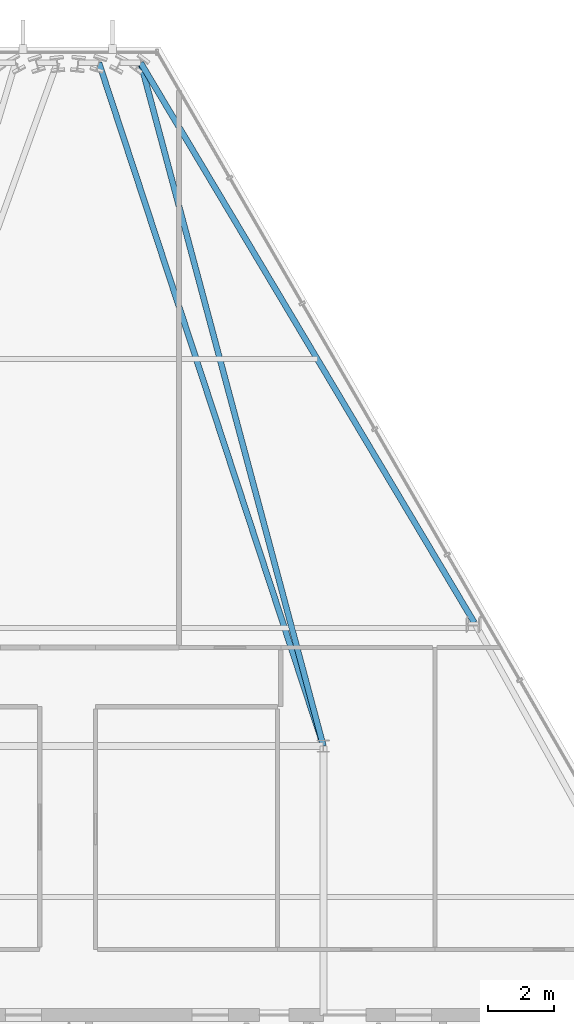
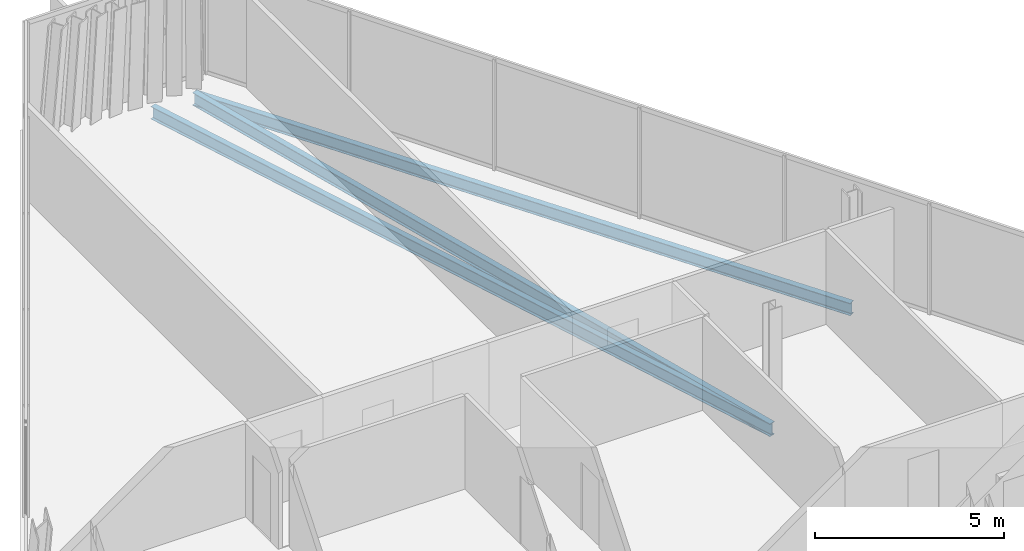
# One storey, part 19 of 34: 3 beams.
"""IFC4 building model written with IfcOpenShell, lengths in metres."""

from ifc_helpers import new_model, si_unit, direction, frame, origin, origin_2d, place, context, subcontext, project, spatial, i_section, extrude, material, material_profile, profile_set, type_object, element, save


model = new_model("IFC4")

# Units and contexts
model_context = context("Model", 3, precision=1e-05, world=origin(), true_north=direction((0.0, 1.0)))
body_context = subcontext(model_context, "Body", "Model", "MODEL_VIEW")
ifc_project = project(units=[si_unit("LENGTHUNIT", "METRE"), si_unit("AREAUNIT", "SQUARE_METRE"), si_unit("VOLUMEUNIT", "CUBIC_METRE"), si_unit("PLANEANGLEUNIT", "RADIAN"), si_unit("MASSUNIT", "GRAM", prefix="KILO")], contexts=[model_context])

# Site, building, storey
site_placement = place(None, origin())
site = spatial("IfcSite", under=ifc_project, at=site_placement, CompositionType="ELEMENT")
building_placement = place(site_placement, origin())
building = spatial("IfcBuilding", under=site, at=building_placement, Name="Ndaravel Arena Tower", CompositionType="ELEMENT")
storey_placement = place(building_placement, frame((0.0, 0.0, 267.39990234375)))
storey = spatial("IfcBuildingStorey", under=building, at=storey_placement, Name="L65", CompositionType="ELEMENT", Elevation=267.39990234375)

# Beams
ifc_material_1 = material(Name="Steel S355", Category="steel")
ifc_material_profile_1 = material_profile(ifc_material_1, i_section(OverallWidth=0.1787109375, OverallDepth=0.409423828125, WebThickness=0.0087890625, FlangeThickness=0.014404296875, FilletRadius=0.01025390625, at=origin_2d()), Name="UB 406x178x67")
ifc_profile_set_1 = profile_set([ifc_material_profile_1], Name="Steel S355")
beam_type_1 = type_object("IfcBeamType", Name="BM-GIRD-UB406", PredefinedType="BEAM", material=ifc_profile_set_1)
beam_1_placement = place(storey_placement, frame((44.227294921875, 44.038330078125, -0.424560546875), z_axis=(0.258348720758, -0.966051726608, 0.0), x_axis=(0.966051726608, 0.258348720758, 0.0)))
element("IfcBeam", 1, at=beam_1_placement, inside=storey, type_object=beam_type_1, Name="L65 Radial Floor Girder FG-11", PredefinedType="BEAM", context=body_context, shape_type="SweptSolid", body=[
    extrude(i_section(OverallWidth=0.1787109375, OverallDepth=0.409423828125, WebThickness=0.0087890625, FlangeThickness=0.014404296875, FilletRadius=0.01025390625, at=origin_2d()), origin(), (0.0, 0.0, 1.0), 21.570556640625),
])
beam_2_placement = place(storey_placement, frame((42.95458984375, 44.038330078125, -0.424560546875), z_axis=(0.312094159638, -0.950051175211, 0.0), x_axis=(0.950051175211, 0.312094159638, 0.0)))
element("IfcBeam", 2, at=beam_2_placement, inside=storey, type_object=beam_type_1, Name="L65 Radial Floor Girder FG-13", PredefinedType="BEAM", context=body_context, shape_type="SweptSolid", body=[
    extrude(i_section(OverallWidth=0.1787109375, OverallDepth=0.409423828125, WebThickness=0.0087890625, FlangeThickness=0.014404296875, FilletRadius=0.01025390625, at=origin_2d()), origin(), (0.0, 0.0, 1.0), 21.933837890625),
])
ifc_material_2 = material(Name="Steel S355", Category="steel")
ifc_material_profile_2 = material_profile(ifc_material_2, i_section(OverallWidth=0.179931640625, OverallDepth=0.39990234375, WebThickness=0.008544921875, FlangeThickness=0.013427734375, FilletRadius=0.02099609375, at=origin_2d()), Name="IPE 400")
ifc_profile_set_2 = profile_set([ifc_material_profile_2], Name="Steel S355")
beam_type_2 = type_object("IfcBeamType", Name="BM-SPAN-IPE400", PredefinedType="SPANDREL", material=ifc_profile_set_2)
beam_3_placement = place(storey_placement, frame((54.403564453125, 26.963623046875, -0.419921875), z_axis=(-0.511957538503, 0.85901075591, 0.0), x_axis=(-0.85901075591, -0.511957538503, 0.0)))
element("IfcBeam", 3, at=beam_3_placement, inside=storey, type_object=beam_type_2, Name="L65 Perimeter Spandrel Beam SP-10", PredefinedType="SPANDREL", context=body_context, shape_type="SweptSolid", body=[
    extrude(i_section(OverallWidth=0.179931640625, OverallDepth=0.39990234375, WebThickness=0.008544921875, FlangeThickness=0.013427734375, FilletRadius=0.02099609375, at=origin_2d()), origin(), (0.0, 0.0, 1.0), 19.877197265625),
])

save(model, "model.ifc")
